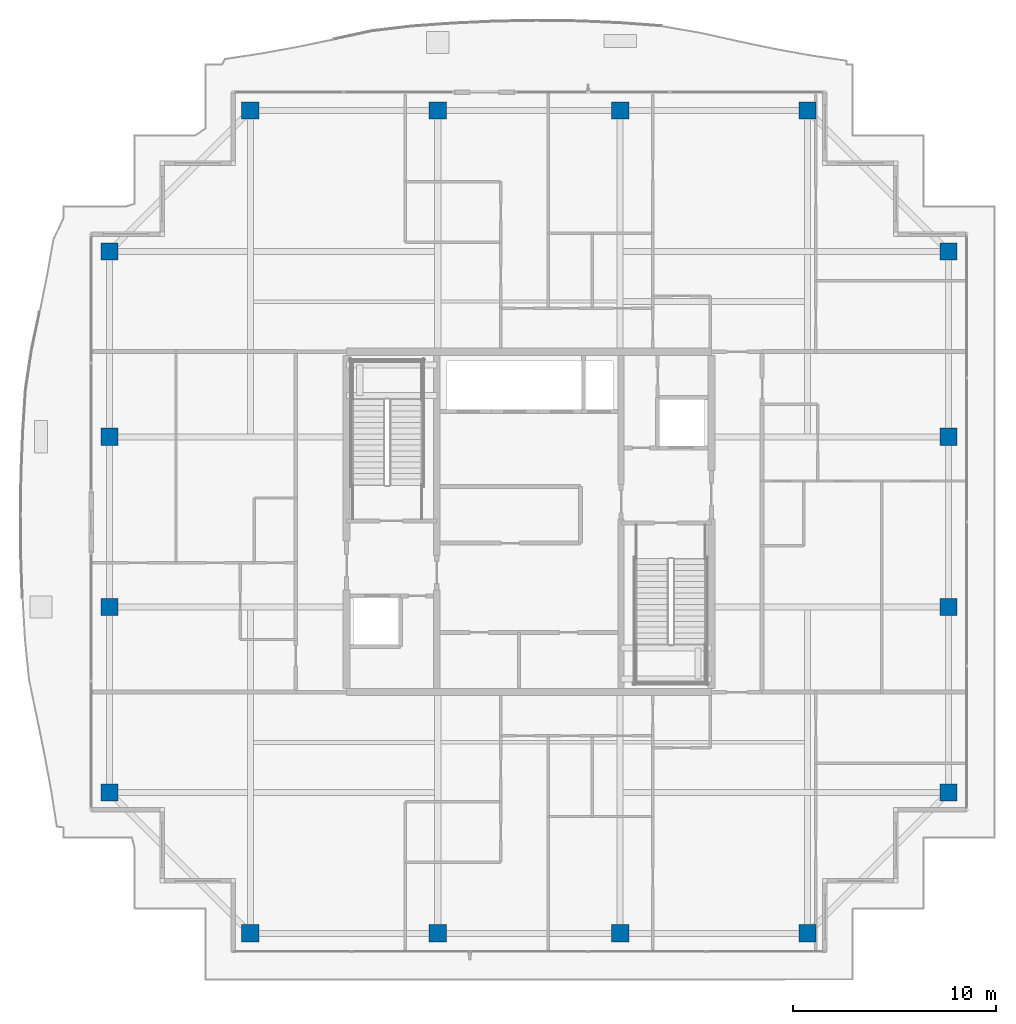
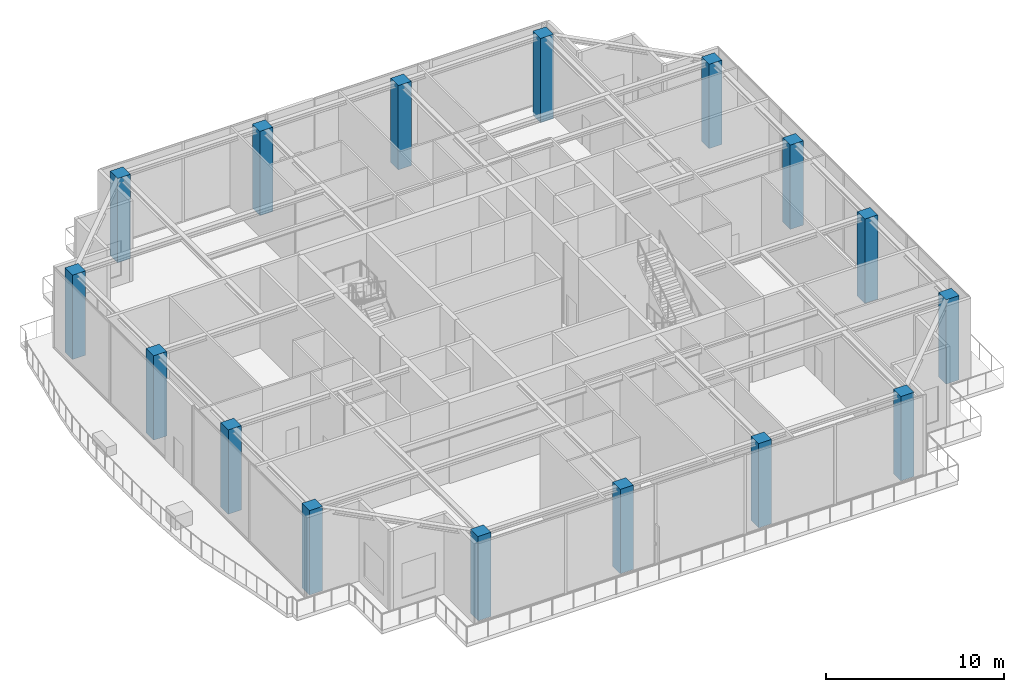
# One storey, part 1 of 38: 16 columns.
"""IFC4 building model written with IfcOpenShell, lengths in metres."""

import ifcopenshell
import ifcopenshell.guid

model = None  # the IFC model being written
_history = None  # IfcOwnerHistory: only IFC2X3 demands one
_inside = {}  # id of a spatial element -> (the spatial element, [elements in it])
_under = {}  # id of a project, library or spatial element -> (it, [spatial elements below it])
_declared = {}  # id of a project -> (the project, [libraries it declares])
_typed = {}  # id of a type object -> (the type object, [elements of that type])
_made_of = {}  # id of a material, layer set ... -> (it, [elements and type objects made of it])


def new_model(schema):
    """Start an empty IFC model of exactly this schema.

    Asked for "IFC4X3", IfcOpenShell would pick the latest addendum, in which some entities
    have other attributes; the version numbers below select the first issue.
    IFC2X3 requires an IfcOwnerHistory on every rooted entity: one is made here for all.
    """
    global model, _history
    if schema == "IFC4X3":
        model = ifcopenshell.file(schema_version=(4, 3, 0, 0))
    else:
        model = ifcopenshell.file(schema=schema)
    _inside.clear()
    _under.clear()
    _declared.clear()
    _typed.clear()
    _made_of.clear()
    _history = None
    if model.schema == "IFC2X3":
        org = make("IfcOrganization", Name="unknown")
        user = make(
            "IfcPersonAndOrganization",
            ThePerson=make("IfcPerson", FamilyName="unknown"),
            TheOrganization=org,
        )
        app = make(
            "IfcApplication",
            ApplicationDeveloper=org,
            Version="unknown",
            ApplicationFullName="unknown",
            ApplicationIdentifier="unknown",
        )
        _history = make(
            "IfcOwnerHistory",
            OwningUser=user,
            OwningApplication=app,
            ChangeAction="ADDED",
            CreationDate=0,
        )
    return model


def make(cls, **values):
    """One entity of the class cls with the attributes given. An attribute that is None is left unset."""
    return model.create_entity(
        cls, **{name: value for name, value in values.items() if value is not None}
    )


def rooted(cls, **values):
    """An entity with a GlobalId (a new one), such as an element, a storey or a relation."""
    return make(cls, GlobalId=ifcopenshell.guid.new(), OwnerHistory=_history, **values)


def si_unit(unit_type, name, prefix=None):
    """IfcSIUnit, for example si_unit("LENGTHUNIT", "METRE", prefix="MILLI")."""
    return make("IfcSIUnit", UnitType=unit_type, Prefix=prefix, Name=name)


def assignment(units):
    """IfcUnitAssignment: the units of a project."""
    return None if units is None else make("IfcUnitAssignment", Units=units)


def point(xyz):
    """IfcCartesianPoint."""
    return None if xyz is None else make("IfcCartesianPoint", Coordinates=xyz)


def direction(xyz):
    """IfcDirection."""
    return None if xyz is None else make("IfcDirection", DirectionRatios=xyz)


def frame(location, z_axis=None, x_axis=None):
    """IfcAxis2Placement3D, a coordinate frame: its origin and axes. An axis left out is left unset."""
    return make(
        "IfcAxis2Placement3D",
        Location=point(location),
        Axis=direction(z_axis),
        RefDirection=direction(x_axis),
    )


def frame_2d(location, x_axis=None):
    """IfcAxis2Placement2D, a coordinate frame in the plane: its origin and x axis."""
    return make(
        "IfcAxis2Placement2D", Location=point(location), RefDirection=direction(x_axis)
    )


def origin():
    """The frame at (0, 0, 0) with its axes left unset."""
    return frame((0.0, 0.0, 0.0))


def origin_2d():
    """The frame at (0, 0) in the plane with its x axis left unset."""
    return frame_2d((0.0, 0.0))


def place(relative_to, where):
    """IfcLocalPlacement: puts the frame where relative to a parent placement (None: the world)."""
    return make(
        "IfcLocalPlacement", PlacementRelTo=relative_to, RelativePlacement=where
    )


def context(
    kind, dimensions, precision=None, world=None, true_north=None, identifier=None
):
    """IfcGeometricRepresentationContext, for example the 3D "Model" context."""
    return make(
        "IfcGeometricRepresentationContext",
        ContextIdentifier=identifier,
        ContextType=kind,
        CoordinateSpaceDimension=dimensions,
        Precision=precision,
        WorldCoordinateSystem=world,
        TrueNorth=true_north,
    )


def subcontext(parent, identifier, kind, view, scale=None):
    """IfcGeometricRepresentationSubContext, for example "Body" below "Model"."""
    return make(
        "IfcGeometricRepresentationSubContext",
        ContextIdentifier=identifier,
        ContextType=kind,
        ParentContext=parent,
        TargetScale=scale,
        TargetView=view,
    )


def project(units=None, contexts=None):
    """IfcProject with its units and contexts."""
    return rooted(
        "IfcProject",
        Name="project",
        RepresentationContexts=contexts,
        UnitsInContext=assignment(units),
    )


def spatial(cls, under=None, at=None, **own):
    """A site, building, storey or space (cls), placed at a placement, below another one or the project."""
    s = rooted(cls, ObjectPlacement=at, **own)
    if under is not None:
        _under.setdefault(under.id(), (under, []))[1].append(s)
    return s


def profile(cls, at=None, kind="AREA", **sizes):
    """A parametric profile (cls). Its sizes go by their IFC names, for example OverallWidth=200.0."""
    return make(cls, ProfileType=kind, Position=at, **sizes)


def rectangle(**sizes):
    """IfcRectangleProfileDef."""
    return profile("IfcRectangleProfileDef", **sizes)


def extrude(swept, where, along, depth):
    """IfcExtrudedAreaSolid: the profile swept, set in the frame where, extruded along a direction by depth."""
    return make(
        "IfcExtrudedAreaSolid",
        SweptArea=swept,
        Position=where,
        ExtrudedDirection=direction(along),
        Depth=depth,
    )


def shape(context_of_items, identifier, shape_type, items):
    """IfcShapeRepresentation: the items that make up one representation, for example the "Body"."""
    return make(
        "IfcShapeRepresentation",
        ContextOfItems=context_of_items,
        RepresentationIdentifier=identifier,
        RepresentationType=shape_type,
        Items=items,
    )


def source(mapping_origin, context_of_items, identifier, shape_type, items):
    """IfcRepresentationMap: a shape defined once, which mapped items show again and again."""
    return make(
        "IfcRepresentationMap",
        MappingOrigin=mapping_origin,
        MappedRepresentation=shape(context_of_items, identifier, shape_type, items),
    )


def transform(
    local_origin,
    x_axis=None,
    y_axis=None,
    z_axis=None,
    scale=None,
    scale2=None,
    scale3=None,
    uniform=True,
):
    """IfcCartesianTransformationOperator3D, or its non-uniform kind. x_axis, y_axis, z_axis: its Axis1, 2, 3."""
    if uniform:
        return make(
            "IfcCartesianTransformationOperator3D",
            Axis1=direction(x_axis),
            Axis2=direction(y_axis),
            LocalOrigin=point(local_origin),
            Scale=scale,
            Axis3=direction(z_axis),
        )
    return make(
        "IfcCartesianTransformationOperator3DnonUniform",
        Axis1=direction(x_axis),
        Axis2=direction(y_axis),
        LocalOrigin=point(local_origin),
        Scale=scale,
        Axis3=direction(z_axis),
        Scale2=scale2,
        Scale3=scale3,
    )


def mapped(mapping_source, mapping_target):
    """IfcMappedItem: shows the shape of a source again, moved by a transform."""
    return make(
        "IfcMappedItem", MappingSource=mapping_source, MappingTarget=mapping_target
    )


def material(Name=None, Category=None):
    """IfcMaterial."""
    return make("IfcMaterial", Name=Name, Category=Category)


def material_profile(
    of_material, cross_section, Name=None, Category=None, Priority=None
):
    """IfcMaterialProfile: a cross section and its material."""
    return make(
        "IfcMaterialProfile",
        Name=Name,
        Material=of_material,
        Profile=cross_section,
        Priority=Priority,
        Category=Category,
    )


def profile_set(profiles, Name=None, composite=None):
    """IfcMaterialProfileSet."""
    return make(
        "IfcMaterialProfileSet",
        Name=Name,
        MaterialProfiles=profiles,
        CompositeProfile=composite,
    )


def made_of(thing, what):
    """Note that an element or type object is made of a material, layer set ...; save() writes the relation."""
    if what is not None:
        _made_of.setdefault(what.id(), (what, []))[1].append(thing)
    return thing


def type_object(cls, material=None, **own):
    """A type object (cls), such as IfcWallType, which elements share."""
    return made_of(rooted(cls, **own), material)


def element(
    cls,
    number,
    at=None,
    inside=None,
    cuts=None,
    type_object=None,
    material=None,
    context=None,
    identifier="Body",
    shape_type=None,
    held_by="IfcProductDefinitionShape",
    body=None,
    shapes=None,
    **own,
):
    """One element of the class cls, such as IfcWall. Its Tag is "e" and its number.

    at: its placement. inside: the storey or other place that contains it. cuts: it is an
    opening in that element (IfcRelVoidsElement). A single representation is given by context,
    identifier, shape_type and body (its items); several are given by shapes. held_by: the class
    of the entity that holds the representations. save() writes the other relations.
    """
    e = rooted(cls, Tag="e%d" % number, ObjectPlacement=at, **own)
    if body is not None:
        shapes = [shape(context, identifier, shape_type, body)]
    if shapes is not None:
        e.Representation = make(held_by, Representations=shapes)
    if inside is not None:
        _inside.setdefault(inside.id(), (inside, []))[1].append(e)
    if cuts is not None:
        rooted(
            "IfcRelVoidsElement", RelatingBuildingElement=cuts, RelatedOpeningElement=e
        )
    if type_object is not None:
        _typed.setdefault(type_object.id(), (type_object, []))[1].append(e)
    return made_of(e, material)


def aggregate(whole, parts):
    """IfcRelAggregates: a whole, such as a stair, and the parts it consists of."""
    return rooted("IfcRelAggregates", RelatingObject=whole, RelatedObjects=parts)


def save(model, path):
    """Write the relations noted so far, then the file.

    IfcRelAggregates (storeys below a building ...), IfcRelContainedInSpatialStructure (elements
    in a storey), IfcRelDefinesByType, IfcRelAssociatesMaterial and IfcRelDeclares: one each for
    every whole, place, type object, material and project.
    """
    for whole, parts in _under.values():
        aggregate(whole, parts)
    for where, things in _inside.values():
        rooted(
            "IfcRelContainedInSpatialStructure",
            RelatedElements=things,
            RelatingStructure=where,
        )
    for kind, things in _typed.values():
        rooted("IfcRelDefinesByType", RelatedObjects=things, RelatingType=kind)
    for what, things in _made_of.values():
        rooted("IfcRelAssociatesMaterial", RelatedObjects=things, RelatingMaterial=what)
    for by, libraries in _declared.values():
        rooted("IfcRelDeclares", RelatingContext=by, RelatedDefinitions=libraries)
    model.write(path)


model = new_model("IFC4")

# Units and contexts
model_context = context("Model", 3, precision=1e-05, world=origin(), true_north=direction((0.0, 1.0)))
body_context = subcontext(model_context, "Body", "Model", "MODEL_VIEW")
ifc_project = project(units=[si_unit("LENGTHUNIT", "METRE"), si_unit("AREAUNIT", "SQUARE_METRE"), si_unit("VOLUMEUNIT", "CUBIC_METRE"), si_unit("PLANEANGLEUNIT", "RADIAN"), si_unit("MASSUNIT", "GRAM", prefix="KILO")], contexts=[model_context])

# Site, building, storey
site_placement = place(None, origin())
site = spatial("IfcSite", under=ifc_project, at=site_placement, CompositionType="ELEMENT")
building_placement = place(site_placement, origin())
building = spatial("IfcBuilding", under=site, at=building_placement, Name="Serunith Strait Residences", CompositionType="ELEMENT")
storey_placement = place(building_placement, frame((0.0, 0.0, 353.85009765625)))
storey = spatial("IfcBuildingStorey", under=building, at=storey_placement, Name="L87", CompositionType="ELEMENT", Elevation=353.85009765625)

# Columns
ifc_material = material(Name="Concrete C60/75", Category="concrete")
ifc_material_profile = material_profile(ifc_material, rectangle(XDim=0.85009765625, YDim=0.85009765625, at=origin_2d()), Name="RC 850x850")
ifc_profile_set = profile_set([ifc_material_profile], Name="Concrete C60/75")
column_type = type_object("IfcColumnType", Name="COL-RC-850", PredefinedType="COLUMN", material=ifc_profile_set)
shared_shape = source(origin(), body_context, "Body", "SweptSolid", [
    extrude(rectangle(XDim=0.85009765625, YDim=0.85009765625, at=origin_2d()), origin(), (0.0, 0.0, 1.0), 5.7998046875),
])
for number, where, z_axis, x_axis, name in (
    (1, (18.64990234375, 4.89990234375, -0.260009765625), (0.0, 0.0, 1.0), (1.0, 0.0, 0.0), "L87 Tower Mega-Column TC-S1"),
    (2, (27.89990234375, 4.89990234375, -0.260009765625), (0.0, 0.0, 1.0), (1.0, 0.0, 0.0), "L87 Tower Mega-Column TC-S2"),
    (3, (36.89990234375, 4.89990234375, -0.260009765625), (0.0, 0.0, 1.0), (1.0, 0.0, 0.0), "L87 Tower Mega-Column TC-S3"),
    (4, (46.14990234375, 4.89990234375, -0.260009765625), (0.0, 0.0, 1.0), (1.0, 0.0, 0.0), "L87 Tower Mega-Column TC-S4"),
    (5, (18.64990234375, 45.5, -0.260009765625), (0.0, 0.0, 1.0), (1.0, 0.0, 0.0), "L87 Tower Mega-Column TC-N1"),
    (6, (27.89990234375, 45.5, -0.260009765625), (0.0, 0.0, 1.0), (1.0, 0.0, 0.0), "L87 Tower Mega-Column TC-N2"),
    (7, (36.89990234375, 45.5, -0.260009765625), (0.0, 0.0, 1.0), (1.0, 0.0, 0.0), "L87 Tower Mega-Column TC-N3"),
    (8, (46.14990234375, 45.5, -0.260009765625), (0.0, 0.0, 1.0), (1.0, 0.0, 0.0), "L87 Tower Mega-Column TC-N4"),
    (9, (53.10009765625, 11.85009765625, -0.260009765625), (0.0, 0.0, 1.0), (1.0, 0.0, 0.0), "L87 Tower Mega-Column TC-E1"),
    (10, (53.10009765625, 21.0, -0.260009765625), (0.0, 0.0, 1.0), (1.0, 0.0, 0.0), "L87 Tower Mega-Column TC-E2"),
    (11, (53.10009765625, 29.39990234375, -0.260009765625), (0.0, 0.0, 1.0), (1.0, 0.0, 0.0), "L87 Tower Mega-Column TC-E3"),
    (12, (53.10009765625, 38.550048828125, -0.260009765625), (0.0, 0.0, 1.0), (1.0, 0.0, 0.0), "L87 Tower Mega-Column TC-E4"),
    (13, (11.699951171875, 11.85009765625, -0.260009765625), (0.0, 0.0, 1.0), (1.0, 0.0, 0.0), "L87 Tower Mega-Column TC-W1"),
    (14, (11.699951171875, 21.0, -0.260009765625), (0.0, 0.0, 1.0), (1.0, 0.0, 0.0), "L87 Tower Mega-Column TC-W2"),
    (15, (11.699951171875, 29.39990234375, -0.260009765625), (0.0, 0.0, 1.0), (1.0, 0.0, 0.0), "L87 Tower Mega-Column TC-W3"),
    (16, (11.699951171875, 38.550048828125, -0.260009765625), (0.0, 0.0, 1.0), (1.0, 0.0, 0.0), "L87 Tower Mega-Column TC-W4"),
):
    element("IfcColumn", number, at=place(storey_placement, frame(where, z_axis=z_axis, x_axis=x_axis)), inside=storey, type_object=column_type, Name=name, PredefinedType="COLUMN", context=body_context, shape_type="MappedRepresentation", body=[
        mapped(shared_shape, transform((0.0, 0.0, 0.0), scale=1.0)),
    ])

save(model, "model.ifc")
